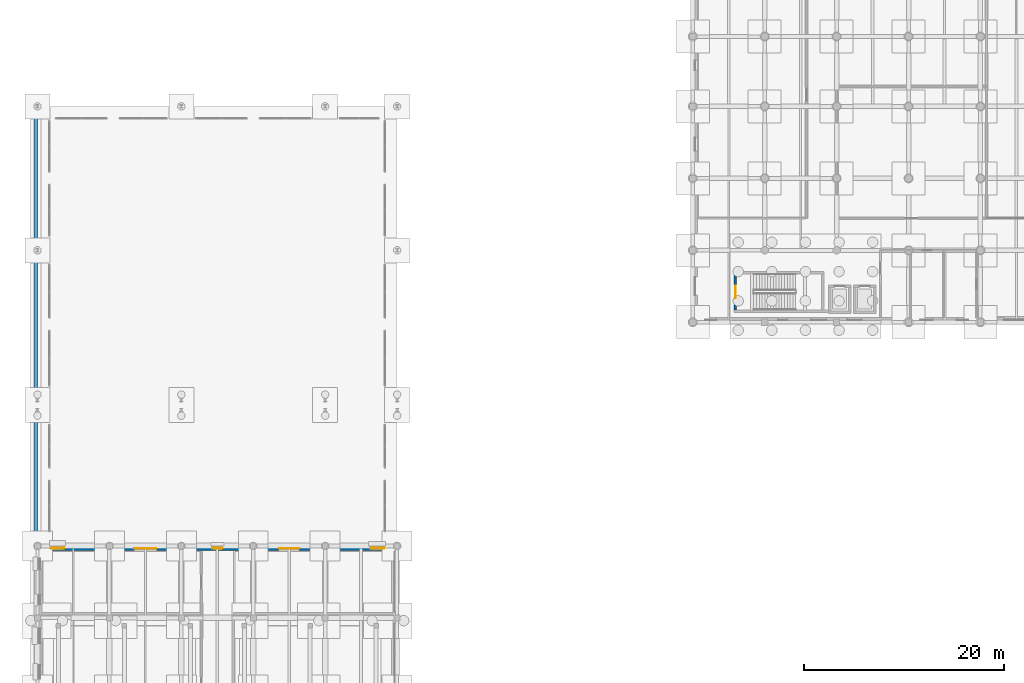
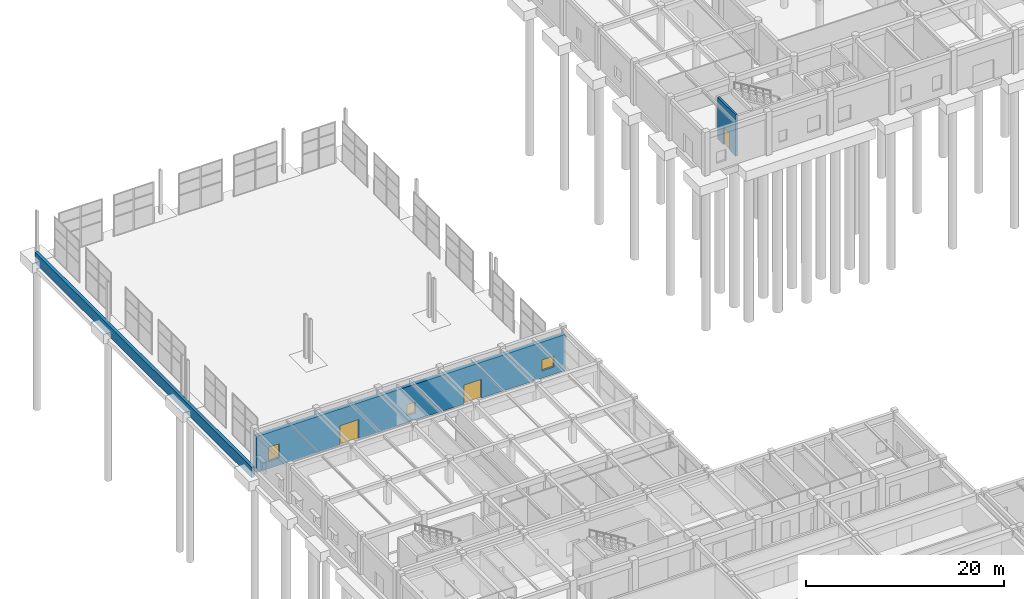
# One storey, part 71 of 91: 3 doors, 3 walls, 3 windows, 6 openings.
"""IFC4 building model written with IfcOpenShell, lengths in metres."""

from ifc_helpers import new_model, si_unit, direction, frame, frame_2d, origin, place, context, subcontext, project, spatial, rectangle, extrude, material, layer, layer_set, type_object, element, fill, save


model = new_model("IFC4")

# Units and contexts
model_context = context("Model", 3, precision=1e-05, world=origin(), true_north=direction((0.0, 1.0)))
body_context = subcontext(model_context, "Body", "Model", "MODEL_VIEW")
ifc_project = project(units=[si_unit("LENGTHUNIT", "METRE"), si_unit("AREAUNIT", "SQUARE_METRE"), si_unit("VOLUMEUNIT", "CUBIC_METRE"), si_unit("PLANEANGLEUNIT", "RADIAN"), si_unit("MASSUNIT", "GRAM", prefix="KILO")], contexts=[model_context])

# Site, building, storey
site_placement = place(None, origin())
site = spatial("IfcSite", under=ifc_project, at=site_placement, CompositionType="ELEMENT")
building_placement = place(site_placement, origin())
building = spatial("IfcBuilding", under=site, at=building_placement, Name="Bramveld Media Centre", CompositionType="ELEMENT")
storey_placement = place(building_placement, origin())
storey = spatial("IfcBuildingStorey", under=building, at=storey_placement, Name="L00", CompositionType="ELEMENT", Elevation=0.0)

# Wall, opening, door
ifc_material_1 = material(Name="Concrete C40/50 stair & lift core wall", Category="concrete")
ifc_layer_1 = layer(ifc_material_1, 0.25)
ifc_layer_set_1 = layer_set([ifc_layer_1], Name="Concrete C40/50 stair & lift core wall")
wall_type_1 = type_object("IfcWallType", Name="CWALL-SHEAR-250", PredefinedType="SHEAR", material=ifc_layer_set_1)
wall_1_placement = place(storey_placement, frame((69.875, 95.25, 0.0), z_axis=(0.0, 0.0, 1.0), x_axis=(0.0, -1.0, 0.0)))
wall_1 = element("IfcWall", 1, at=wall_1_placement, inside=storey, type_object=wall_type_1, Name="ST-07 L00 stair core shear wall W", PredefinedType="SHEAR", context=body_context, shape_type="SweptSolid", body=[
    extrude(rectangle(XDim=3.64990234375, YDim=0.25, at=frame_2d((1.824951171875, 0.0))), origin(), (0.0, 0.0, 1.0), 5.1201171875),
])
opening_1_placement = place(wall_1_placement, frame((1.199951171875, 0.0, 0.0)))
opening_1 = element("IfcOpeningElement", 2, at=opening_1_placement, cuts=wall_1, Name="Opening SD-07-L00", PredefinedType="OPENING", context=body_context, shape_type="SweptSolid", body=[
    extrude(rectangle(XDim=1.25, YDim=2.14990234375, at=frame_2d((0.625, 1.074951171875))), frame((0.0, 0.136962890625, 0.0), z_axis=(0.0, -1.0, 0.0), x_axis=(1.0, 0.0, 0.0)), (0.0, 0.0, 1.0), 0.27392578125),
])
ifc_material_2 = material(Name="Painted galvanized steel acoustic fire door with intumescent smoke seals", Category="steel")
door_type_1 = type_object("IfcDoorType", Name="DR-ST-1250", OperationType="NOTDEFINED", PredefinedType="DOOR", material=ifc_material_2)
door_1_placement = place(opening_1_placement, origin())
door_1 = element("IfcDoor", 3, at=door_1_placement, inside=storey, type_object=door_type_1, Name="ST-07 L00 pressurized stair fire door", OperationType="SINGLE_SWING_LEFT", OverallHeight=2.14990234375, OverallWidth=1.25, PredefinedType="DOOR", context=body_context, shape_type="SweptSolid", body=[
    extrude(rectangle(XDim=1.25, YDim=2.14990234375, at=frame_2d((0.625, 1.074951171875))), frame((0.0, 0.02490234375, 0.0), z_axis=(0.0, -1.0, 0.0), x_axis=(1.0, 0.0, 0.0)), (0.0, 0.0, 1.0), 0.050048828125),
])
fill(opening_1, door_1)

# Wall, openings, doors, windows
ifc_material_3 = material(Name="Flemish red-brown clay facing brick cavity wall with concrete C35/45 inner leaf", Category="masonry")
ifc_layer_2 = layer(ifc_material_3, 0.4599609375)
ifc_layer_set_2 = layer_set([ifc_layer_2], Name="Flemish red-brown clay facing brick cavity wall with concrete C35/45 inner leaf")
wall_type_2 = type_object("IfcWallType", Name="EW-BRK-460", PredefinedType="SOLIDWALL", material=ifc_layer_set_2)
wall_2_placement = place(storey_placement, frame((0.0, 67.77001953125, 0.0), z_axis=(0.0, 0.0, 1.0), x_axis=(1.0, 0.0, 0.0)))
wall_2 = element("IfcWall", 4, at=wall_2_placement, inside=storey, type_object=wall_type_2, Name="V3 L00 N facing brick exterior wall", PredefinedType="SOLIDWALL", context=body_context, shape_type="SweptSolid", body=[
    extrude(rectangle(XDim=36.0, YDim=0.4599609375, at=frame_2d((18.0, 0.0))), origin(), (0.0, 0.0, 1.0), 4.43505859375),
])
opening_2_placement = place(wall_2_placement, frame((9.699951171875, 0.0, 0.0)))
opening_2 = element("IfcOpeningElement", 5, at=opening_2_placement, cuts=wall_2, Name="Opening ED-09", PredefinedType="OPENING", context=body_context, shape_type="SweptSolid", body=[
    extrude(rectangle(XDim=2.199951171875, YDim=2.39990234375, at=frame_2d((1.10009765625, 1.199951171875))), frame((0.0, 0.241943359375, 0.0), z_axis=(0.0, -1.0, 0.0), x_axis=(1.0, 0.0, 0.0)), (0.0, 0.0, 1.0), 0.48388671875),
])
opening_3_placement = place(wall_2_placement, frame((24.199951171875, 0.0, 0.0)))
opening_3 = element("IfcOpeningElement", 6, at=opening_3_placement, cuts=wall_2, Name="Opening ED-10", PredefinedType="OPENING", context=body_context, shape_type="SweptSolid", body=[
    extrude(rectangle(XDim=2.0, YDim=2.35009765625, at=frame_2d((1.0, 1.175048828125))), frame((0.0, 0.241943359375, 0.0), z_axis=(0.0, -1.0, 0.0), x_axis=(1.0, 0.0, 0.0)), (0.0, 0.0, 1.0), 0.48388671875),
])
opening_4_placement = place(wall_2_placement, frame((1.330078125, 0.0, 0.89990234375)))
opening_4 = element("IfcOpeningElement", 7, at=opening_4_placement, cuts=wall_2, Name="Opening W-22", PredefinedType="OPENING", context=body_context, shape_type="SweptSolid", body=[
    extrude(rectangle(XDim=1.340087890625, YDim=1.75, at=frame_2d((0.669921875, 0.875))), frame((0.0, 0.241943359375, 0.0), z_axis=(0.0, -1.0, 0.0), x_axis=(1.0, 0.0, 0.0)), (0.0, 0.0, 1.0), 0.48388671875),
])
opening_5_placement = place(wall_2_placement, frame((17.5, 0.0, 0.89990234375)))
opening_5 = element("IfcOpeningElement", 8, at=opening_5_placement, cuts=wall_2, Name="Opening W-02", PredefinedType="OPENING", context=body_context, shape_type="SweptSolid", body=[
    extrude(rectangle(XDim=1.0, YDim=1.35009765625, at=frame_2d((0.5, 0.675048828125))), frame((0.0, 0.241943359375, 0.0), z_axis=(0.0, -1.0, 0.0), x_axis=(1.0, 0.0, 0.0)), (0.0, 0.0, 1.0), 0.48388671875),
])
opening_6_placement = place(wall_2_placement, frame((33.300048828125, 0.0, 0.89990234375)))
opening_6 = element("IfcOpeningElement", 9, at=opening_6_placement, cuts=wall_2, Name="Opening W-06", PredefinedType="OPENING", context=body_context, shape_type="SweptSolid", body=[
    extrude(rectangle(XDim=1.39990234375, YDim=1.35009765625, at=frame_2d((0.699951171875, 0.675048828125))), frame((0.0, 0.241943359375, 0.0), z_axis=(0.0, -1.0, 0.0), x_axis=(1.0, 0.0, 0.0)), (0.0, 0.0, 1.0), 0.48388671875),
])
ifc_material_4 = material(Name="Insulated powder-coated bronze aluminium & laminated safety glass door", Category="aluminium")
door_type_2 = type_object("IfcDoorType", Name="DR-EXT-2000", OperationType="NOTDEFINED", PredefinedType="DOOR", material=ifc_material_4)
door_2_placement = place(opening_3_placement, origin())
door_2 = element("IfcDoor", 10, at=door_2_placement, inside=storey, type_object=door_type_2, Name="Exterior door ED-10", OperationType="DOUBLE_DOOR_SINGLE_SWING", OverallHeight=2.35009765625, OverallWidth=2.0, PredefinedType="DOOR", context=body_context, shape_type="SweptSolid", body=[
    extrude(rectangle(XDim=2.0, YDim=2.35009765625, at=frame_2d((1.0, 1.175048828125))), frame((0.0, 0.02490234375, 0.0), z_axis=(0.0, -1.0, 0.0), x_axis=(1.0, 0.0, 0.0)), (0.0, 0.0, 1.0), 0.050048828125),
])
fill(opening_3, door_2)
ifc_material_5 = material(Name="Insulated powder-coated bronze aluminium & laminated safety glass door", Category="aluminium")
door_type_3 = type_object("IfcDoorType", Name="DR-EXT-2200", OperationType="NOTDEFINED", PredefinedType="DOOR", material=ifc_material_5)
door_3_placement = place(opening_2_placement, origin())
door_3 = element("IfcDoor", 11, at=door_3_placement, inside=storey, type_object=door_type_3, Name="Exterior door ED-09", OperationType="DOUBLE_DOOR_SINGLE_SWING", OverallHeight=2.39990234375, OverallWidth=2.199951171875, PredefinedType="DOOR", context=body_context, shape_type="SweptSolid", body=[
    extrude(rectangle(XDim=2.199951171875, YDim=2.39990234375, at=frame_2d((1.10009765625, 1.199951171875))), frame((0.0, 0.02490234375, 0.0), z_axis=(0.0, -1.0, 0.0), x_axis=(1.0, 0.0, 0.0)), (0.0, 0.0, 1.0), 0.050048828125),
])
fill(opening_2, door_3)
ifc_material_6 = material(Name="Thermally broken anodized bronze aluminium frame with triple acoustic glazing", Category="aluminium")
window_type_1 = type_object("IfcWindowType", Name="WIN-FAC-02", PartitioningType="SINGLE_PANEL", PredefinedType="WINDOW", material=ifc_material_6)
window_1_placement = place(opening_5_placement, origin())
window_1 = element("IfcWindow", 12, at=window_1_placement, inside=storey, type_object=window_type_1, Name="V3 L00 N acoustic facade window", OverallHeight=1.35009765625, OverallWidth=1.0, PartitioningType="SINGLE_PANEL", PredefinedType="WINDOW", context=body_context, shape_type="SweptSolid", body=[
    extrude(rectangle(XDim=1.0, YDim=1.35009765625, at=frame_2d((0.5, 0.675048828125))), frame((0.0, 0.030029296875, 0.0), z_axis=(0.0, -1.0, 0.0), x_axis=(1.0, 0.0, 0.0)), (0.0, 0.0, 1.0), 0.06005859375),
])
fill(opening_5, window_1)
ifc_material_7 = material(Name="Thermally broken anodized bronze aluminium frame with triple acoustic glazing", Category="aluminium")
window_type_2 = type_object("IfcWindowType", Name="WIN-FAC-06", PartitioningType="SINGLE_PANEL", PredefinedType="WINDOW", material=ifc_material_7)
window_2_placement = place(opening_6_placement, origin())
window_2 = element("IfcWindow", 13, at=window_2_placement, inside=storey, type_object=window_type_2, Name="V3 L00 N acoustic facade window", OverallHeight=1.35009765625, OverallWidth=1.39990234375, PartitioningType="SINGLE_PANEL", PredefinedType="WINDOW", context=body_context, shape_type="SweptSolid", body=[
    extrude(rectangle(XDim=1.39990234375, YDim=1.35009765625, at=frame_2d((0.699951171875, 0.675048828125))), frame((0.0, 0.030029296875, 0.0), z_axis=(0.0, -1.0, 0.0), x_axis=(1.0, 0.0, 0.0)), (0.0, 0.0, 1.0), 0.06005859375),
])
fill(opening_6, window_2)
ifc_material_8 = material(Name="Thermally broken anodized bronze aluminium frame with triple acoustic glazing", Category="aluminium")
window_type_3 = type_object("IfcWindowType", Name="WIN-FAC-22", PartitioningType="SINGLE_PANEL", PredefinedType="WINDOW", material=ifc_material_8)
window_3_placement = place(opening_4_placement, origin())
window_3 = element("IfcWindow", 14, at=window_3_placement, inside=storey, type_object=window_type_3, Name="V3 L00 N acoustic facade window", OverallHeight=1.75, OverallWidth=1.340087890625, PartitioningType="SINGLE_PANEL", PredefinedType="WINDOW", context=body_context, shape_type="SweptSolid", body=[
    extrude(rectangle(XDim=1.340087890625, YDim=1.75, at=frame_2d((0.669921875, 0.875))), frame((0.0, 0.030029296875, 0.0), z_axis=(0.0, -1.0, 0.0), x_axis=(1.0, 0.0, 0.0)), (0.0, 0.0, 1.0), 0.06005859375),
])
fill(opening_4, window_3)

# Wall
ifc_material_9 = material(Name="Concrete C35/45 site canal-edge retaining wall", Category="concrete")
ifc_layer_3 = layer(ifc_material_9, 0.360107421875)
ifc_layer_set_3 = layer_set([ifc_layer_3], Name="Concrete C35/45 site canal-edge retaining wall")
wall_type_3 = type_object("IfcWallType", Name="RETAIN-360", PredefinedType="USERDEFINED", material=ifc_layer_set_3)
wall_3_placement = place(storey_placement, frame((-0.179931640625, 68.0, -0.800048828125), z_axis=(0.0, 0.0, 1.0), x_axis=(0.0, 1.0, 0.0)))
element("IfcWall", 15, at=wall_3_placement, inside=storey, type_object=wall_type_3, Name="Site retaining wall RW-PARK-02", ObjectType="RETAININGWALL", PredefinedType="USERDEFINED", context=body_context, shape_type="SweptSolid", body=[
    extrude(rectangle(XDim=43.800048828125, YDim=0.360107421875, at=frame_2d((21.89990234375, 0.0))), origin(), (0.0, 0.0, 1.0), 1.300048828125),
])

save(model, "model.ifc")
